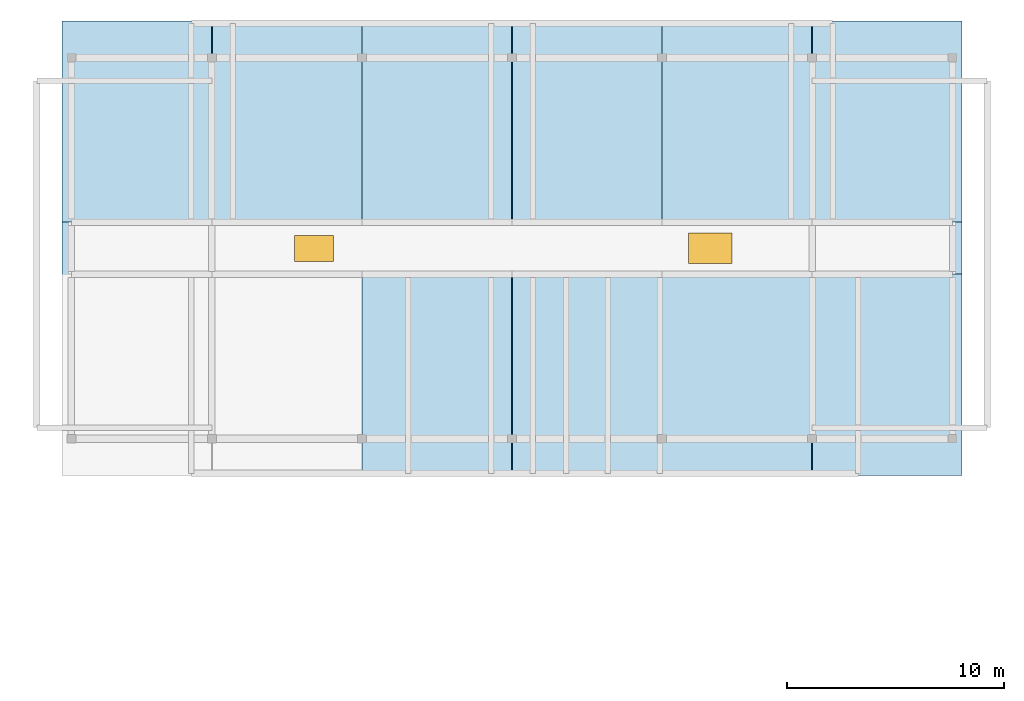
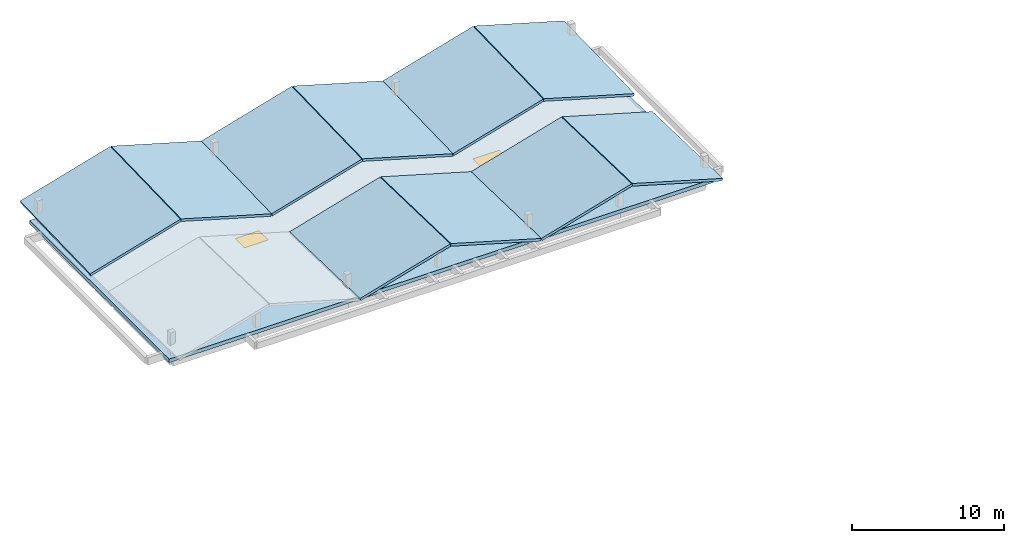
# One storey, part 3 of 10: 11 slabs, 2 windows, 2 openings.
"""IFC4 building model written with IfcOpenShell, lengths in metres."""

from ifc_helpers import new_model, si_unit, direction, frame, origin, origin_2d, place, context, subcontext, project, spatial, polyline, rectangle, outline, extrude, material, layer, layer_set, type_object, element, fill, save


model = new_model("IFC4")

# Units and contexts
model_context = context("Model", 3, precision=1e-05, world=origin(), true_north=direction((0.0, 1.0)))
body_context = subcontext(model_context, "Body", "Model", "MODEL_VIEW")
ifc_project = project(units=[si_unit("LENGTHUNIT", "METRE"), si_unit("AREAUNIT", "SQUARE_METRE"), si_unit("VOLUMEUNIT", "CUBIC_METRE"), si_unit("PLANEANGLEUNIT", "RADIAN"), si_unit("MASSUNIT", "GRAM", prefix="KILO")], contexts=[model_context])

# Site, building, storey
site_placement = place(None, origin())
site = spatial("IfcSite", under=ifc_project, at=site_placement, CompositionType="ELEMENT")
building_placement = place(site_placement, origin())
building = spatial("IfcBuilding", under=site, at=building_placement, Name="Zavelmont Quarter", CompositionType="ELEMENT")
storey_placement = place(building_placement, frame((0.0, 0.0, 43.199951171875)))
storey = spatial("IfcBuildingStorey", under=building, at=storey_placement, Name="L13", CompositionType="ELEMENT", Elevation=43.199951171875)

# Slabs
ifc_material_1 = material(Name="White architectural precast concrete C40/50", Category="concrete")
ifc_layer_1 = layer(ifc_material_1, 0.199951171875)
ifc_layer_set_1 = layer_set([ifc_layer_1], Name="White architectural precast concrete C40/50")
slab_type_1 = type_object("IfcSlabType", Name="CRBN1", PredefinedType="ROOF", material=ifc_layer_set_1)
slab_1_placement = place(storey_placement, frame((0.0, 108.0, 0.550048828125), z_axis=(-0.278254395807, -0.025950183764, 0.960156799266), x_axis=(0.960480253212, 0.0, 0.278348133082)))
element("IfcSlab", 1, at=slab_1_placement, inside=storey, type_object=slab_type_1, Name="Block B pleated crown roof CRBN1", PredefinedType="ROOF", context=body_context, shape_type="SweptSolid", body=[
    extrude(outline(polyline([(0.0, 0.0), (7.1527937867830085, 0.0), (7.222380820053628, 9.253116104577991), (0.06958703327061955, 9.253116104577991), (0.0, 0.0)])), origin(), (0.0, 0.0, -1.0), 0.199951171875),
])
ifc_layer_2 = layer(ifc_material_1, 0.199951171875)
ifc_layer_set_2 = layer_set([ifc_layer_2], Name="White architectural precast concrete C40/50")
slab_type_2 = type_object("IfcSlabType", Name="CRBN2", PredefinedType="ROOF", material=ifc_layer_set_2)
slab_2_placement = place(storey_placement, frame((6.929931640625, 108.0, 2.541015625), z_axis=(0.278254395807, -0.025950183764, 0.960156799266), x_axis=(0.960480253212, 0.0, -0.278348133082)))
element("IfcSlab", 2, at=slab_2_placement, inside=storey, type_object=slab_type_2, Name="Block B pleated crown roof CRBN2", PredefinedType="ROOF", context=body_context, shape_type="SweptSolid", body=[
    extrude(outline(polyline([(0.0, 0.0), (7.1527937867830085, 0.0), (7.083206753512389, 9.253116104577991), (-0.06958703327061955, 9.253116104577991), (0.0, 0.0)])), origin(), (0.0, 0.0, -1.0), 0.199951171875),
])
ifc_layer_3 = layer(ifc_material_1, 0.199951171875)
ifc_layer_set_3 = layer_set([ifc_layer_3], Name="White architectural precast concrete C40/50")
slab_type_3 = type_object("IfcSlabType", Name="CRBN3", PredefinedType="ROOF", material=ifc_layer_set_3)
slab_3_placement = place(storey_placement, frame((13.800048828125, 108.0, 0.550048828125), z_axis=(-0.278263518709, -0.02595011236, 0.960154157323), x_axis=(0.960477608597, 0.0, 0.278357258542)))
element("IfcSlab", 3, at=slab_3_placement, inside=storey, type_object=slab_type_3, Name="Block B pleated crown roof CRBN3", PredefinedType="ROOF", context=body_context, shape_type="SweptSolid", body=[
    extrude(outline(polyline([(0.0, 0.0), (7.1525592948565135, -6.938893903907228e-18), (7.222148609492001, 9.25311608742096), (0.06958931463548745, 9.253116087420961), (0.0, 0.0)])), origin(), (0.0, 0.0, -1.0), 0.199951171875),
])
ifc_layer_4 = layer(ifc_material_1, 0.199951171875)
ifc_layer_set_4 = layer_set([ifc_layer_4], Name="White architectural precast concrete C40/50")
slab_type_4 = type_object("IfcSlabType", Name="CRBN4", PredefinedType="ROOF", material=ifc_layer_set_4)
slab_4_placement = place(storey_placement, frame((20.72998046875, 108.0, 2.541015625), z_axis=(0.278254395807, -0.025950183764, 0.960156799266), x_axis=(0.960480253212, 0.0, -0.278348133082)))
element("IfcSlab", 4, at=slab_4_placement, inside=storey, type_object=slab_type_4, Name="Block B pleated crown roof CRBN4", PredefinedType="ROOF", context=body_context, shape_type="SweptSolid", body=[
    extrude(outline(polyline([(0.0, 0.0), (7.1527937867830085, 0.0), (7.083206753512389, 9.253116104577991), (-0.06958703327061955, 9.253116104577991), (0.0, 0.0)])), origin(), (0.0, 0.0, -1.0), 0.199951171875),
])
ifc_layer_5 = layer(ifc_material_1, 0.199951171875)
ifc_layer_set_5 = layer_set([ifc_layer_5], Name="White architectural precast concrete C40/50")
slab_type_5 = type_object("IfcSlabType", Name="CRBN5", PredefinedType="ROOF", material=ifc_layer_set_5)
slab_5_placement = place(storey_placement, frame((27.60009765625, 108.0, 0.550048828125), z_axis=(-0.278263518709, -0.02595011236, 0.960154157323), x_axis=(0.960477608597, 0.0, 0.278357258542)))
element("IfcSlab", 5, at=slab_5_placement, inside=storey, type_object=slab_type_5, Name="Block B pleated crown roof CRBN5", PredefinedType="ROOF", context=body_context, shape_type="SweptSolid", body=[
    extrude(outline(polyline([(0.0, 0.0), (7.1525592948565135, -6.938893903907228e-18), (7.222148609492001, 9.25311608742096), (0.06958931463548745, 9.253116087420961), (0.0, 0.0)])), origin(), (0.0, 0.0, -1.0), 0.199951171875),
])
ifc_layer_6 = layer(ifc_material_1, 0.199951171875)
ifc_layer_set_6 = layer_set([ifc_layer_6], Name="White architectural precast concrete C40/50")
slab_type_6 = type_object("IfcSlabType", Name="CRBN6", PredefinedType="ROOF", material=ifc_layer_set_6)
slab_6_placement = place(storey_placement, frame((34.530029296875, 108.0, 2.541015625), z_axis=(0.278263518709, -0.02595011236, 0.960154157323), x_axis=(0.960477608597, 0.0, -0.278357258542)))
element("IfcSlab", 6, at=slab_6_placement, inside=storey, type_object=slab_type_6, Name="Block B pleated crown roof CRBN6", PredefinedType="ROOF", context=body_context, shape_type="SweptSolid", body=[
    extrude(outline(polyline([(0.0, 0.0), (7.1525592948565135, 6.938893903907228e-18), (7.0829699802210255, 9.253116087420961), (-0.06958931463548745, 9.253116087420961), (0.0, 0.0)])), origin(), (0.0, 0.0, -1.0), 0.199951171875),
])
ifc_layer_7 = layer(ifc_material_1, 0.199951171875)
ifc_layer_set_7 = layer_set([ifc_layer_7], Name="White architectural precast concrete C40/50")
slab_type_7 = type_object("IfcSlabType", Name="CRBS3", PredefinedType="ROOF", material=ifc_layer_set_7)
slab_7_placement = place(storey_placement, frame((13.800048828125, 96.35009765625, 0.800048828125), z_axis=(-0.278264021149, 0.02588048519, 0.960155890999), x_axis=(0.960477608597, 0.0, 0.278357258542)))
element("IfcSlab", 7, at=slab_7_placement, inside=storey, type_object=slab_type_7, Name="Block B pleated crown roof CRBS3", PredefinedType="ROOF", context=body_context, shape_type="SweptSolid", body=[
    extrude(outline(polyline([(0.0, 0.0), (7.1525592948565135, 6.938893903907228e-18), (7.0829699802210255, 9.278010067540764), (-0.06958931463548745, 9.278010067540764), (0.0, 0.0)])), origin(), (0.0, 0.0, -1.0), 0.199951171875),
])
ifc_layer_8 = layer(ifc_material_1, 0.199951171875)
ifc_layer_set_8 = layer_set([ifc_layer_8], Name="White architectural precast concrete C40/50")
slab_type_8 = type_object("IfcSlabType", Name="CRBS4", PredefinedType="ROOF", material=ifc_layer_set_8)
slab_8_placement = place(storey_placement, frame((20.72998046875, 96.35009765625, 2.791015625), z_axis=(0.278254898233, 0.025880556403, 0.960158532957), x_axis=(0.960480253212, 0.0, -0.278348133082)))
element("IfcSlab", 8, at=slab_8_placement, inside=storey, type_object=slab_type_8, Name="Block B pleated crown roof CRBS4", PredefinedType="ROOF", context=body_context, shape_type="SweptSolid", body=[
    extrude(outline(polyline([(0.0, 0.0), (7.1527937867830085, 6.938893903907228e-18), (7.222380820053628, 9.278010084651765), (0.06958703327061955, 9.278010084651765), (0.0, 0.0)])), origin(), (0.0, 0.0, -1.0), 0.199951171875),
])
ifc_layer_9 = layer(ifc_material_1, 0.199951171875)
ifc_layer_set_9 = layer_set([ifc_layer_9], Name="White architectural precast concrete C40/50")
slab_type_9 = type_object("IfcSlabType", Name="CRBS5", PredefinedType="ROOF", material=ifc_layer_set_9)
slab_9_placement = place(storey_placement, frame((27.60009765625, 96.35009765625, 0.800048828125), z_axis=(-0.278264021149, 0.02588048519, 0.960155890999), x_axis=(0.960477608597, 0.0, 0.278357258542)))
element("IfcSlab", 9, at=slab_9_placement, inside=storey, type_object=slab_type_9, Name="Block B pleated crown roof CRBS5", PredefinedType="ROOF", context=body_context, shape_type="SweptSolid", body=[
    extrude(outline(polyline([(0.0, 0.0), (7.1525592948565135, 6.938893903907228e-18), (7.0829699802210255, 9.278010067540764), (-0.06958931463548745, 9.278010067540764), (0.0, 0.0)])), origin(), (0.0, 0.0, -1.0), 0.199951171875),
])
ifc_layer_10 = layer(ifc_material_1, 0.199951171875)
ifc_layer_set_10 = layer_set([ifc_layer_10], Name="White architectural precast concrete C40/50")
slab_type_10 = type_object("IfcSlabType", Name="CRBS6", PredefinedType="ROOF", material=ifc_layer_set_10)
slab_10_placement = place(storey_placement, frame((34.530029296875, 96.35009765625, 2.791015625), z_axis=(0.278264021149, 0.02588048519, 0.960155890999), x_axis=(0.960477608597, 0.0, -0.278357258542)))
element("IfcSlab", 10, at=slab_10_placement, inside=storey, type_object=slab_type_10, Name="Block B pleated crown roof CRBS6", PredefinedType="ROOF", context=body_context, shape_type="SweptSolid", body=[
    extrude(outline(polyline([(0.0, 0.0), (7.1525592948565135, -6.938893903907228e-18), (7.222148609492001, 9.278010067540764), (0.06958931463548745, 9.278010067540764), (0.0, 0.0)])), origin(), (0.0, 0.0, -1.0), 0.199951171875),
])

# Slab, openings, windows
ifc_material_2 = material(Name="Concrete C35/45", Category="concrete")
ifc_layer_11 = layer(ifc_material_2, 0.2900390625)
ifc_layer_set_11 = layer_set([ifc_layer_11], Name="Concrete C35/45")
slab_type_11 = type_object("IfcSlabType", Name="SL-RF290", PredefinedType="ROOF", material=ifc_layer_set_11)
slab_11_placement = place(storey_placement, frame((0.0, 0.0, -0.2900390625)))
slab_11 = element("IfcSlab", 11, at=slab_11_placement, inside=storey, type_object=slab_type_11, Name="L13 Block B main roof slab SL-RF290", PredefinedType="ROOF", context=body_context, shape_type="SweptSolid", body=[
    extrude(outline(polyline([(0.0, 97.60009765625), (41.39990234375, 97.60009765625), (41.39990234375, 116.0), (0.0, 116.0), (0.0, 97.60009765625)])), origin(), (0.0, 0.0, 1.0), 0.2900390625),
])
opening_1_placement = place(slab_11_placement, frame((11.592041015625, 106.800048828125, 0.0)))
opening_1 = element("IfcOpeningElement", 12, at=opening_1_placement, cuts=slab_11, Name="Opening SK03", PredefinedType="OPENING", context=body_context, shape_type="SweptSolid", body=[
    extrude(rectangle(XDim=1.800048828125, YDim=1.199951171875, at=origin_2d()), frame((0.0, 0.0, -0.011962890625)), (0.0, 0.0, 1.0), 0.31396484375),
])
opening_2_placement = place(slab_11_placement, frame((29.80810546875, 106.800048828125, 0.0)))
opening_2 = element("IfcOpeningElement", 13, at=opening_2_placement, cuts=slab_11, Name="Opening SK04", PredefinedType="OPENING", context=body_context, shape_type="SweptSolid", body=[
    extrude(rectangle(XDim=2.0, YDim=1.39990234375, at=origin_2d()), frame((0.0, 0.0, -0.011962890625)), (0.0, 0.0, 1.0), 0.31396484375),
])
ifc_material_3 = material(Name="Double low-E insulated glazing in thermally broken aluminium frame", Category="aluminium")
window_type_1 = type_object("IfcWindowType", Name="SK03", PartitioningType="SINGLE_PANEL", PredefinedType="SKYLIGHT", material=ifc_material_3)
window_1_placement = place(opening_1_placement, frame((0.0, 0.0, 0.239990234375)))
window_1 = element("IfcWindow", 14, at=window_1_placement, inside=storey, type_object=window_type_1, Name="Block B corridor skylight SK03", OverallHeight=1.199951171875, OverallWidth=1.800048828125, PartitioningType="SINGLE_PANEL", PredefinedType="SKYLIGHT", context=body_context, shape_type="SweptSolid", body=[
    extrude(rectangle(XDim=1.800048828125, YDim=1.199951171875, at=origin_2d()), origin(), (0.0, 0.0, 1.0), 0.050048828125),
])
fill(opening_1, window_1)
window_type_2 = type_object("IfcWindowType", Name="SK04", PartitioningType="SINGLE_PANEL", PredefinedType="SKYLIGHT", material=ifc_material_3)
window_2_placement = place(opening_2_placement, frame((0.0, 0.0, 0.239990234375)))
window_2 = element("IfcWindow", 15, at=window_2_placement, inside=storey, type_object=window_type_2, Name="Block B corridor skylight SK04", OverallHeight=1.39990234375, OverallWidth=2.0, PartitioningType="SINGLE_PANEL", PredefinedType="SKYLIGHT", context=body_context, shape_type="SweptSolid", body=[
    extrude(rectangle(XDim=2.0, YDim=1.39990234375, at=origin_2d()), origin(), (0.0, 0.0, 1.0), 0.050048828125),
])
fill(opening_2, window_2)

save(model, "model.ifc")
